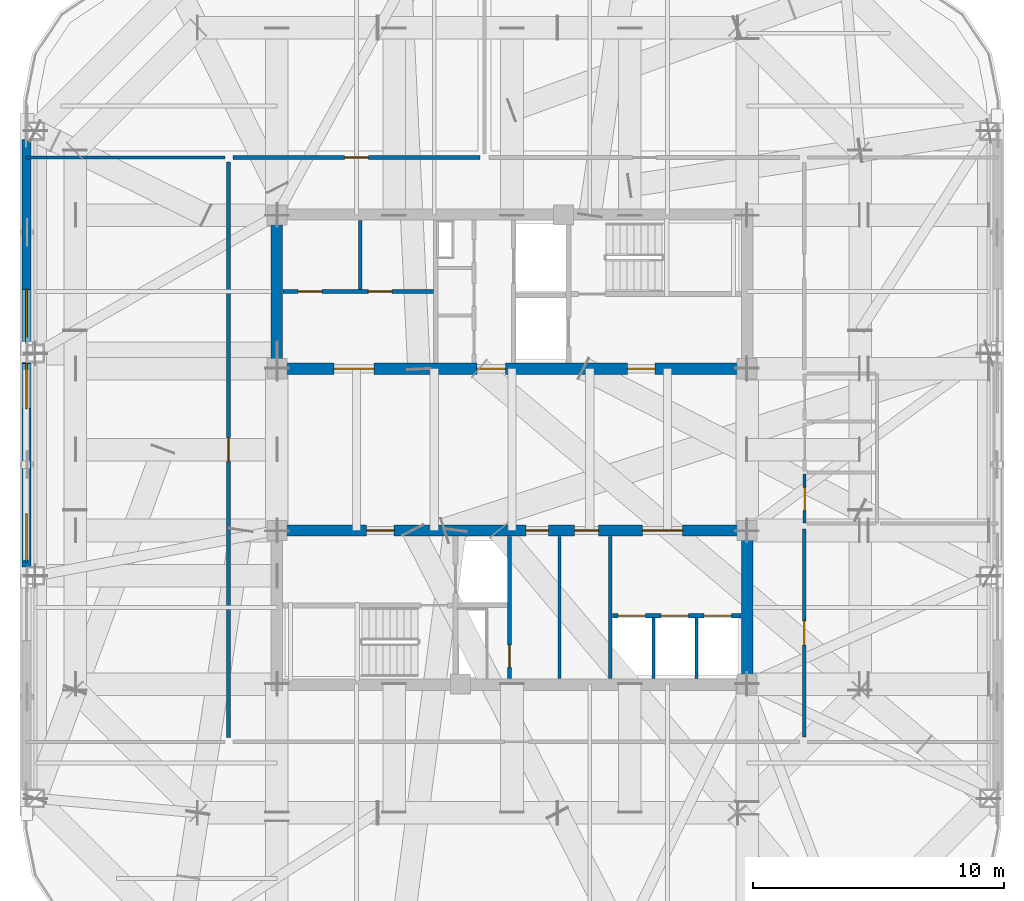
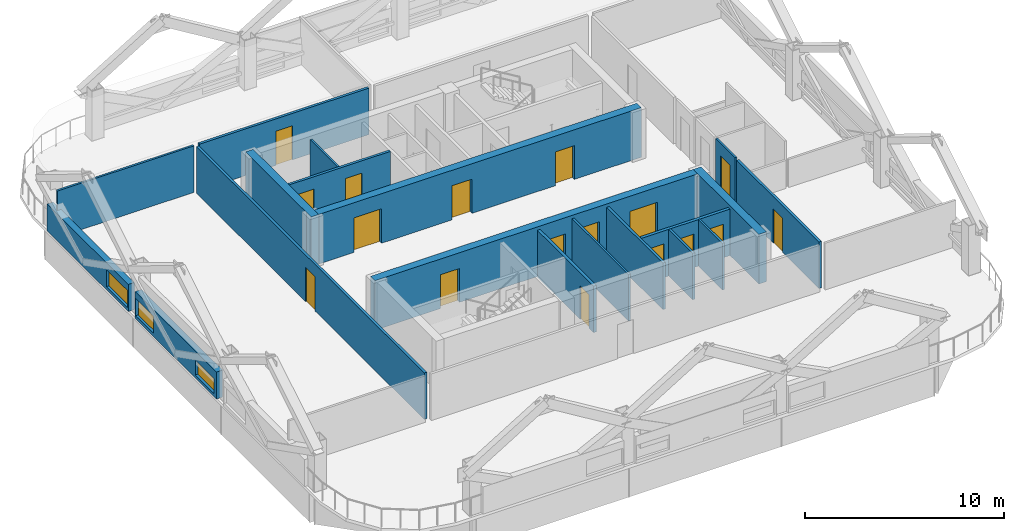
# One storey, part 6 of 11: 19 walls, 17 doors, 3 windows, 20 openings.
"""IFC4 building model written with IfcOpenShell, lengths in metres."""

from ifc_helpers import new_model, si_unit, direction, frame, frame_2d, origin, place, context, subcontext, project, spatial, rectangle, extrude, material, layer, layer_set, type_object, element, fill, save


model = new_model("IFC4")

# Units and contexts
model_context = context("Model", 3, precision=1e-05, world=origin(), true_north=direction((0.0, 1.0)))
body_context = subcontext(model_context, "Body", "Model", "MODEL_VIEW")
ifc_project = project(units=[si_unit("LENGTHUNIT", "METRE"), si_unit("AREAUNIT", "SQUARE_METRE"), si_unit("VOLUMEUNIT", "CUBIC_METRE"), si_unit("PLANEANGLEUNIT", "RADIAN"), si_unit("MASSUNIT", "GRAM", prefix="KILO")], contexts=[model_context])

# Site, building, storey
site_placement = place(None, origin())
site = spatial("IfcSite", under=ifc_project, at=site_placement, CompositionType="ELEMENT")
building_placement = place(site_placement, origin())
building = spatial("IfcBuilding", under=site, at=building_placement, Name="Qhalaya Broadcast Tower", CompositionType="ELEMENT")
storey_placement = place(building_placement, frame((0.0, 0.0, 199.5)))
storey = spatial("IfcBuildingStorey", under=building, at=storey_placement, Name="L58", CompositionType="ELEMENT", Elevation=199.5)

# Wall, openings, doors
ifc_material_1 = material(Name="Gypsum Acoustic Partition")
ifc_layer_1 = layer(ifc_material_1, 0.14990234375, Name="Gypsum Acoustic Partition")
ifc_layer_set_1 = layer_set([ifc_layer_1], Name="Gypsum Acoustic Partition")
wall_type_1 = type_object("IfcWallType", Name="Corridor & Tenancy Acoustic Partition 150", PredefinedType="PARTITIONING", material=ifc_layer_set_1)
wall_1_placement = place(storey_placement, frame((-9.1298828125, 6.89990234375, 0.0), z_axis=(0.0, 0.0, 1.0), x_axis=(1.0, 0.0, 0.0)))
wall_1 = element("IfcWall", 1, at=wall_1_placement, inside=storey, type_object=wall_type_1, Name="L58 Partition Wall NCW-REC1", PredefinedType="PARTITIONING", context=body_context, shape_type="SweptSolid", body=[
    extrude(rectangle(XDim=6.009765625, YDim=0.14990234375, at=frame_2d((3.0048828125, 0.0))), origin(), (0.0, 0.0, 1.0), 2.860107421875),
])
opening_1_placement = place(wall_1_placement, frame((0.60009765625, 0.0, 0.0)))
opening_1 = element("IfcOpeningElement", 2, at=opening_1_placement, cuts=wall_1, Name="Opening D10", PredefinedType="OPENING", context=body_context, shape_type="SweptSolid", body=[
    extrude(rectangle(XDim=0.949951171875, YDim=2.10009765625, at=frame_2d((0.47509765625, 1.050048828125))), frame((0.0, 0.0869140625, 0.0), z_axis=(0.0, -1.0, 0.0), x_axis=(1.0, 0.0, 0.0)), (0.0, 0.0, 1.0), 0.173828125),
])
opening_2_placement = place(wall_1_placement, frame((3.39990234375, 0.0, 0.0)))
opening_2 = element("IfcOpeningElement", 3, at=opening_2_placement, cuts=wall_1, Name="Opening D10", PredefinedType="OPENING", context=body_context, shape_type="SweptSolid", body=[
    extrude(rectangle(XDim=0.949951171875, YDim=2.10009765625, at=frame_2d((0.47509765625, 1.050048828125))), frame((0.0, 0.0869140625, 0.0), z_axis=(0.0, -1.0, 0.0), x_axis=(1.0, 0.0, 0.0)), (0.0, 0.0, 1.0), 0.173828125),
])
ifc_material_2 = material(Name="Timber Veneer Acoustic Door", Category="wood")
door_type_1 = type_object("IfcDoorType", Name="Cellular Office & Edit Booth Door D10", OperationType="NOTDEFINED", PredefinedType="DOOR", material=ifc_material_2)
door_1_placement = place(opening_1_placement, origin())
door_1 = element("IfcDoor", 4, at=door_1_placement, inside=storey, type_object=door_type_1, Name="L58 Door D-NREC1", OperationType="SINGLE_SWING_LEFT", OverallHeight=2.10009765625, OverallWidth=0.949951171875, PredefinedType="DOOR", context=body_context, shape_type="SweptSolid", body=[
    extrude(rectangle(XDim=0.949951171875, YDim=2.10009765625, at=frame_2d((0.47509765625, 1.050048828125))), frame((0.0, 0.02490234375, 0.0), z_axis=(0.0, -1.0, 0.0), x_axis=(1.0, 0.0, 0.0)), (0.0, 0.0, 1.0), 0.050048828125),
])
fill(opening_1, door_1)
door_2_placement = place(opening_2_placement, origin())
door_2 = element("IfcDoor", 5, at=door_2_placement, inside=storey, type_object=door_type_1, Name="L58 Door D-NREC2", OperationType="SINGLE_SWING_RIGHT", OverallHeight=2.10009765625, OverallWidth=0.949951171875, PredefinedType="DOOR", context=body_context, shape_type="SweptSolid", body=[
    extrude(rectangle(XDim=0.949951171875, YDim=2.10009765625, at=frame_2d((0.47509765625, 1.050048828125))), frame((0.0, 0.02490234375, 0.0), z_axis=(0.0, -1.0, 0.0), x_axis=(1.0, 0.0, 0.0)), (0.0, 0.0, 1.0), 0.050048828125),
])
fill(opening_2, door_2)

# Wall
wall_2_placement = place(storey_placement, frame((3.919921875, -8.530029296875, 0.0), z_axis=(0.0, 0.0, 1.0), x_axis=(0.0, 1.0, 0.0)))
element("IfcWall", 6, at=wall_2_placement, inside=storey, type_object=wall_type_1, Name="L58 Partition Wall SCW-HSEP", PredefinedType="PARTITIONING", context=body_context, shape_type="SweptSolid", body=[
    extrude(rectangle(XDim=5.659912109375, YDim=0.14990234375, at=frame_2d((2.830078125, 0.0))), origin(), (0.0, 0.0, 1.0), 2.860107421875),
])

# Wall, opening, door
wall_3_placement = place(storey_placement, frame((-11.1201171875, 12.25, 0.0), z_axis=(0.0, 0.0, 1.0), x_axis=(1.0, 0.0, 0.0)))
wall_3 = element("IfcWall", 7, at=wall_3_placement, inside=storey, type_object=wall_type_1, Name="L58 Partition Wall W-COR-01", PredefinedType="PARTITIONING", context=body_context, shape_type="SweptSolid", body=[
    extrude(rectangle(XDim=9.840087890625, YDim=0.14990234375, at=frame_2d((4.919921875, 0.0))), origin(), (0.0, 0.0, 1.0), 2.860107421875),
])
opening_3_placement = place(wall_3_placement, frame((4.445068359375, 0.0, 0.0)))
opening_3 = element("IfcOpeningElement", 8, at=opening_3_placement, cuts=wall_3, Name="Opening D10", PredefinedType="OPENING", context=body_context, shape_type="SweptSolid", body=[
    extrude(rectangle(XDim=0.949951171875, YDim=2.10009765625, at=frame_2d((0.47509765625, 1.050048828125))), frame((0.0, 0.0869140625, 0.0), z_axis=(0.0, -1.0, 0.0), x_axis=(1.0, 0.0, 0.0)), (0.0, 0.0, 1.0), 0.173828125),
])
door_3_placement = place(opening_3_placement, origin())
door_3 = element("IfcDoor", 9, at=door_3_placement, inside=storey, type_object=door_type_1, Name="L58 Door D-RM01", OperationType="SINGLE_SWING_RIGHT", OverallHeight=2.10009765625, OverallWidth=0.949951171875, PredefinedType="DOOR", context=body_context, shape_type="SweptSolid", body=[
    extrude(rectangle(XDim=0.949951171875, YDim=2.10009765625, at=frame_2d((0.47509765625, 1.050048828125))), frame((0.0, 0.02490234375, 0.0), z_axis=(0.0, -1.0, 0.0), x_axis=(1.0, 0.0, 0.0)), (0.0, 0.0, 1.0), 0.050048828125),
])
fill(opening_3, door_3)

wall_4_placement = place(storey_placement, frame((-11.300048828125, -10.8701171875, 0.0), z_axis=(0.0, 0.0, 1.0), x_axis=(0.0, 1.0, 0.0)))
wall_4 = element("IfcWall", 10, at=wall_4_placement, inside=storey, type_object=wall_type_1, Name="L58 Partition Wall W-COR-04", PredefinedType="PARTITIONING", context=body_context, shape_type="SweptSolid", body=[
    extrude(rectangle(XDim=22.940185546875, YDim=0.14990234375, at=frame_2d((11.47021484375, 0.0))), origin(), (0.0, 0.0, 1.0), 2.860107421875),
])
opening_4_placement = place(wall_4_placement, frame((10.9951171875, 0.0, 0.0)))
opening_4 = element("IfcOpeningElement", 11, at=opening_4_placement, cuts=wall_4, Name="Opening D10", PredefinedType="OPENING", context=body_context, shape_type="SweptSolid", body=[
    extrude(rectangle(XDim=0.949951171875, YDim=2.10009765625, at=frame_2d((0.47509765625, 1.050048828125))), frame((0.0, 0.0869140625, 0.0), z_axis=(0.0, -1.0, 0.0), x_axis=(1.0, 0.0, 0.0)), (0.0, 0.0, 1.0), 0.173828125),
])
door_4_placement = place(opening_4_placement, origin())
door_4 = element("IfcDoor", 12, at=door_4_placement, inside=storey, type_object=door_type_1, Name="L58 Door D-RM04", OperationType="SINGLE_SWING_LEFT", OverallHeight=2.10009765625, OverallWidth=0.949951171875, PredefinedType="DOOR", context=body_context, shape_type="SweptSolid", body=[
    extrude(rectangle(XDim=0.949951171875, YDim=2.10009765625, at=frame_2d((0.47509765625, 1.050048828125))), frame((0.0, 0.02490234375, 0.0), z_axis=(0.0, -1.0, 0.0), x_axis=(1.0, 0.0, 0.0)), (0.0, 0.0, 1.0), 0.050048828125),
])
fill(opening_4, door_4)

wall_5_placement = place(storey_placement, frame((11.64990234375, -10.85009765625, 0.0), z_axis=(0.0, 0.0, 1.0), x_axis=(0.0, 1.0, 0.0)))
wall_5 = element("IfcWall", 13, at=wall_5_placement, inside=storey, type_object=wall_type_1, Name="L58 Partition Wall W-COR-05", PredefinedType="PARTITIONING", context=body_context, shape_type="SweptSolid", body=[
    extrude(rectangle(XDim=8.2900390625, YDim=0.14990234375, at=frame_2d((4.14501953125, 0.0))), origin(), (0.0, 0.0, 1.0), 2.860107421875),
])
opening_5_placement = place(wall_5_placement, frame((3.669921875, 0.0, 0.0)))
opening_5 = element("IfcOpeningElement", 14, at=opening_5_placement, cuts=wall_5, Name="Opening D10", PredefinedType="OPENING", context=body_context, shape_type="SweptSolid", body=[
    extrude(rectangle(XDim=0.949951171875, YDim=2.10009765625, at=frame_2d((0.47509765625, 1.050048828125))), frame((0.0, 0.0869140625, 0.0), z_axis=(0.0, -1.0, 0.0), x_axis=(1.0, 0.0, 0.0)), (0.0, 0.0, 1.0), 0.173828125),
])
door_5_placement = place(opening_5_placement, origin())
door_5 = element("IfcDoor", 15, at=door_5_placement, inside=storey, type_object=door_type_1, Name="L58 Door D-RM05", OperationType="SINGLE_SWING_RIGHT", OverallHeight=2.10009765625, OverallWidth=0.949951171875, PredefinedType="DOOR", context=body_context, shape_type="SweptSolid", body=[
    extrude(rectangle(XDim=0.949951171875, YDim=2.10009765625, at=frame_2d((0.47509765625, 1.050048828125))), frame((0.0, 0.02490234375, 0.0), z_axis=(0.0, -1.0, 0.0), x_axis=(1.0, 0.0, 0.0)), (0.0, 0.0, 1.0), 0.050048828125),
])
fill(opening_5, door_5)

# Wall, openings, windows
ifc_material_3 = material(Name="Precast Concrete C40/50", Category="concrete")
ifc_layer_2 = layer(ifc_material_3, 0.360107421875, Name="Precast Concrete C40/50")
ifc_layer_set_2 = layer_set([ifc_layer_2], Name="Precast Concrete C40/50")
wall_type_2 = type_object("IfcWallType", Name="Insulated Precast Terracotta Exterior Wall 360", PredefinedType="SOLIDWALL", material=ifc_layer_set_2)
wall_6_placement = place(storey_placement, frame((-19.360107421875, -4.083251953125, 0.0), z_axis=(0.0, 0.0, 1.0), x_axis=(0.0, 1.0, 0.0)))
wall_6 = element("IfcWall", 16, at=wall_6_placement, inside=storey, type_object=wall_type_2, Name="L58 Exoskeleton Diagrid Infill Wall W2", PredefinedType="SOLIDWALL", context=body_context, shape_type="SweptSolid", body=[
    extrude(rectangle(XDim=8.16650390625, YDim=0.360107421875, at=frame_2d((4.083251953125, 0.0))), origin(), (0.0, 0.0, 1.0), 1.662109375),
])
opening_6_placement = place(wall_6_placement, frame((0.220947265625, 0.0, 0.199951171875)))
opening_6 = element("IfcOpeningElement", 17, at=opening_6_placement, cuts=wall_6, Name="Opening W13", PredefinedType="OPENING", context=body_context, shape_type="SweptSolid", body=[
    extrude(rectangle(XDim=1.89990234375, YDim=0.89990234375, at=frame_2d((0.949951171875, 0.449951171875))), frame((0.0, 0.192138671875, 0.0), z_axis=(0.0, -1.0, 0.0), x_axis=(1.0, 0.0, 0.0)), (0.0, 0.0, 1.0), 0.384033203125),
])
opening_7_placement = place(wall_6_placement, frame((6.321044921875, 0.0, 0.199951171875)))
opening_7 = element("IfcOpeningElement", 18, at=opening_7_placement, cuts=wall_6, Name="Opening W13", PredefinedType="OPENING", context=body_context, shape_type="SweptSolid", body=[
    extrude(rectangle(XDim=1.800048828125, YDim=1.050048828125, at=frame_2d((0.89990234375, 0.52490234375))), frame((0.0, 0.192138671875, 0.0), z_axis=(0.0, -1.0, 0.0), x_axis=(1.0, 0.0, 0.0)), (0.0, 0.0, 1.0), 0.384033203125),
])
ifc_material_4 = material(Name="Solar-Control Low-E Triple Glazing", Category="glass")
window_type = type_object("IfcWindowType", Name="Upper-Block Diagrid Infill Window W13", PartitioningType="SINGLE_PANEL", PredefinedType="WINDOW", material=ifc_material_4)
window_1_placement = place(opening_6_placement, origin())
window_1 = element("IfcWindow", 19, at=window_1_placement, inside=storey, type_object=window_type, Name="L58 Diagrid Infill Window W13-W2", OverallHeight=0.89990234375, OverallWidth=1.89990234375, PartitioningType="SINGLE_PANEL", PredefinedType="WINDOW", context=body_context, shape_type="SweptSolid", body=[
    extrude(rectangle(XDim=1.89990234375, YDim=0.89990234375, at=frame_2d((0.949951171875, 0.449951171875))), frame((0.0, 0.030029296875, 0.0), z_axis=(0.0, -1.0, 0.0), x_axis=(1.0, 0.0, 0.0)), (0.0, 0.0, 1.0), 0.06005859375),
])
fill(opening_6, window_1)
window_2_placement = place(opening_7_placement, origin())
window_2 = element("IfcWindow", 20, at=window_2_placement, inside=storey, type_object=window_type, Name="L58 Diagrid Infill Window W13-W3", OverallHeight=1.050048828125, OverallWidth=1.800048828125, PartitioningType="SINGLE_PANEL", PredefinedType="WINDOW", context=body_context, shape_type="SweptSolid", body=[
    extrude(rectangle(XDim=1.800048828125, YDim=1.050048828125, at=frame_2d((0.89990234375, 0.52490234375))), frame((0.0, 0.030029296875, 0.0), z_axis=(0.0, -1.0, 0.0), x_axis=(1.0, 0.0, 0.0)), (0.0, 0.0, 1.0), 0.06005859375),
])
fill(opening_7, window_2)

# Wall, opening, window
wall_7_placement = place(storey_placement, frame((-19.360107421875, 4.783203125, 0.0), z_axis=(0.0, 0.0, 1.0), x_axis=(0.0, 1.0, 0.0)))
wall_7 = element("IfcWall", 21, at=wall_7_placement, inside=storey, type_object=wall_type_2, Name="L58 Exoskeleton Diagrid Infill Wall W3", PredefinedType="SOLIDWALL", context=body_context, shape_type="SweptSolid", body=[
    extrude(rectangle(XDim=8.1787109375, YDim=0.360107421875, at=frame_2d((4.08935546875, 0.0))), origin(), (0.0, 0.0, 1.0), 1.662109375),
])
opening_8_placement = place(wall_7_placement, frame((0.054931640625, 0.0, 0.199951171875)))
opening_8 = element("IfcOpeningElement", 22, at=opening_8_placement, cuts=wall_7, Name="Opening W13", PredefinedType="OPENING", context=body_context, shape_type="SweptSolid", body=[
    extrude(rectangle(XDim=2.14990234375, YDim=1.050048828125, at=frame_2d((1.074951171875, 0.52490234375))), frame((0.0, 0.192138671875, 0.0), z_axis=(0.0, -1.0, 0.0), x_axis=(1.0, 0.0, 0.0)), (0.0, 0.0, 1.0), 0.384033203125),
])
window_3_placement = place(opening_8_placement, origin())
window_3 = element("IfcWindow", 23, at=window_3_placement, inside=storey, type_object=window_type, Name="L58 Diagrid Infill Window W13-W4", OverallHeight=1.050048828125, OverallWidth=2.14990234375, PartitioningType="SINGLE_PANEL", PredefinedType="WINDOW", context=body_context, shape_type="SweptSolid", body=[
    extrude(rectangle(XDim=2.14990234375, YDim=1.050048828125, at=frame_2d((1.074951171875, 0.52490234375))), frame((0.0, 0.030029296875, 0.0), z_axis=(0.0, -1.0, 0.0), x_axis=(1.0, 0.0, 0.0)), (0.0, 0.0, 1.0), 0.06005859375),
])
fill(opening_8, window_3)

# Walls
ifc_layer_3 = layer(ifc_material_1, 0.1201171875, Name="Gypsum Acoustic Partition")
ifc_layer_set_3 = layer_set([ifc_layer_3], Name="Gypsum Acoustic Partition")
wall_type_3 = type_object("IfcWallType", Name="Office, Booth & Sanitary Partition 120", PredefinedType="PARTITIONING", material=ifc_layer_set_3)
wall_8_placement = place(storey_placement, frame((-6.050048828125, 6.97998046875, 0.0), z_axis=(0.0, 0.0, 1.0), x_axis=(0.0, 1.0, 0.0)))
element("IfcWall", 24, at=wall_8_placement, inside=storey, type_object=wall_type_3, Name="L58 Partition Wall NCW-REC2", PredefinedType="PARTITIONING", context=body_context, shape_type="SweptSolid", body=[
    extrude(rectangle(XDim=2.75, YDim=0.1201171875, at=frame_2d((1.375, 0.0))), origin(), (0.0, 0.0, 1.0), 2.860107421875),
])
wall_9_placement = place(storey_placement, frame((1.89990234375, -8.530029296875, 0.0), z_axis=(0.0, 0.0, 1.0), x_axis=(0.0, 1.0, 0.0)))
element("IfcWall", 25, at=wall_9_placement, inside=storey, type_object=wall_type_3, Name="L58 Partition Wall SCW-RKB", PredefinedType="PARTITIONING", context=body_context, shape_type="SweptSolid", body=[
    extrude(rectangle(XDim=5.659912109375, YDim=0.1201171875, at=frame_2d((2.830078125, 0.0))), origin(), (0.0, 0.0, 1.0), 2.860107421875),
])
for number, where, z_axis, x_axis, name in (
    (26, (5.639892578125, -8.530029296875, 0.0), (0.0, 0.0, 1.0), (0.0, 1.0, 0.0), "L58 Partition Wall SCW-HD6"),
    (27, (7.360107421875, -8.530029296875, 0.0), (0.0, 0.0, 1.0), (0.0, 1.0, 0.0), "L58 Partition Wall SCW-HD7"),
):
    element("IfcWall", number, at=place(storey_placement, frame(where, z_axis=z_axis, x_axis=x_axis)), inside=storey, type_object=wall_type_3, Name=name, PredefinedType="PARTITIONING", context=body_context, shape_type="SweptSolid", body=[
        extrude(rectangle(XDim=2.429931640625, YDim=0.1201171875, at=frame_2d((1.21484375, 0.0))), origin(), (0.0, 0.0, 1.0), 2.860107421875),
    ])

# Wall, opening, door
wall_10_placement = place(storey_placement, frame((11.669921875, -2.320068359375, 0.0), z_axis=(0.0, 0.0, 1.0), x_axis=(0.0, 1.0, 0.0)))
wall_10 = element("IfcWall", 28, at=wall_10_placement, inside=storey, type_object=wall_type_3, Name="L58 Partition Wall W-WCWA", PredefinedType="PARTITIONING", context=body_context, shape_type="SweptSolid", body=[
    extrude(rectangle(XDim=1.940185546875, YDim=0.1201171875, at=frame_2d((0.97021484375, 0.0))), origin(), (0.0, 0.0, 1.0), 2.860107421875),
])
opening_9_placement = place(wall_10_placement, frame((0.4951171875, 0.0, 0.0)))
opening_9 = element("IfcOpeningElement", 29, at=opening_9_placement, cuts=wall_10, Name="Opening D12", PredefinedType="OPENING", context=body_context, shape_type="SweptSolid", body=[
    extrude(rectangle(XDim=0.919921875, YDim=2.10009765625, at=frame_2d((0.4599609375, 1.050048828125))), frame((0.0, 0.072021484375, 0.0), z_axis=(0.0, -1.0, 0.0), x_axis=(1.0, 0.0, 0.0)), (0.0, 0.0, 1.0), 0.14404296875),
])
door_type_2 = type_object("IfcDoorType", Name="Accessible WC & Restroom Door D12", OperationType="NOTDEFINED", PredefinedType="DOOR", material=ifc_material_2)
door_6_placement = place(opening_9_placement, origin())
door_6 = element("IfcDoor", 30, at=door_6_placement, inside=storey, type_object=door_type_2, Name="L58 Door D-WCA", OperationType="SINGLE_SWING_LEFT", OverallHeight=2.10009765625, OverallWidth=0.919921875, PredefinedType="DOOR", context=body_context, shape_type="SweptSolid", body=[
    extrude(rectangle(XDim=0.919921875, YDim=2.10009765625, at=frame_2d((0.4599609375, 1.050048828125))), frame((0.0, 0.02490234375, 0.0), z_axis=(0.0, -1.0, 0.0), x_axis=(1.0, 0.0, 0.0)), (0.0, 0.0, 1.0), 0.050048828125),
])
fill(opening_9, door_6)

# Wall
wall_11_placement = place(storey_placement, frame((-19.3798828125, 12.25, 0.0), z_axis=(0.0, 0.0, 1.0), x_axis=(1.0, 0.0, 0.0)))
element("IfcWall", 31, at=wall_11_placement, inside=storey, type_object=wall_type_3, Name="L58 Partition Wall W-BNDW1", PredefinedType="PARTITIONING", context=body_context, shape_type="SweptSolid", body=[
    extrude(rectangle(XDim=7.93994140625, YDim=0.1201171875, at=frame_2d((3.969970703125, 0.0))), origin(), (0.0, 0.0, 1.0), 2.860107421875),
])

# Wall, opening, door
ifc_layer_4 = layer(ifc_material_1, 0.175048828125, Name="Gypsum Acoustic Partition")
ifc_layer_set_4 = layer_set([ifc_layer_4], Name="Gypsum Acoustic Partition")
wall_type_4 = type_object("IfcWallType", Name="Shaft & Riser Fire Partition 175", PredefinedType="PARTITIONING", material=ifc_layer_set_4)
wall_12_placement = place(storey_placement, frame((-0.10009765625, -8.530029296875, 0.0), z_axis=(0.0, 0.0, 1.0), x_axis=(0.0, 1.0, 0.0)))
wall_12 = element("IfcWall", 32, at=wall_12_placement, inside=storey, type_object=wall_type_4, Name="L58 Partition Wall SCW-FFE", PredefinedType="PARTITIONING", context=body_context, shape_type="SweptSolid", body=[
    extrude(rectangle(XDim=5.659912109375, YDim=0.175048828125, at=frame_2d((2.830078125, 0.0))), origin(), (0.0, 0.0, 1.0), 2.860107421875),
])
opening_10_placement = place(wall_12_placement, frame((0.449951171875, 0.0, 0.0)))
opening_10 = element("IfcOpeningElement", 33, at=opening_10_placement, cuts=wall_12, Name="Opening D06", PredefinedType="OPENING", context=body_context, shape_type="SweptSolid", body=[
    extrude(rectangle(XDim=0.89990234375, YDim=2.050048828125, at=frame_2d((0.449951171875, 1.02490234375))), frame((0.0, 0.099609375, 0.0), z_axis=(0.0, -1.0, 0.0), x_axis=(1.0, 0.0, 0.0)), (0.0, 0.0, 1.0), 0.198974609375),
])
ifc_material_5 = material(Name="Fire-Rated Steel Door", Category="steel")
door_type_3 = type_object("IfcDoorType", Name="Riser & Electrical Shaft Access Door D06", OperationType="NOTDEFINED", PredefinedType="DOOR", material=ifc_material_5)
door_7_placement = place(opening_10_placement, origin())
door_7 = element("IfcDoor", 34, at=door_7_placement, inside=storey, type_object=door_type_3, Name="L58 Riser Shaft Access Door D-SRSR", OperationType="SINGLE_SWING_LEFT", OverallHeight=2.050048828125, OverallWidth=0.89990234375, PredefinedType="DOOR", context=body_context, shape_type="SweptSolid", body=[
    extrude(rectangle(XDim=0.89990234375, YDim=2.050048828125, at=frame_2d((0.449951171875, 1.02490234375))), frame((0.0, 0.02490234375, 0.0), z_axis=(0.0, -1.0, 0.0), x_axis=(1.0, 0.0, 0.0)), (0.0, 0.0, 1.0), 0.050048828125),
])
fill(opening_10, door_7)

# Wall, openings, doors
wall_13_placement = place(storey_placement, frame((4.0, -6.02001953125, 0.0), z_axis=(0.0, 0.0, 1.0), x_axis=(1.0, 0.0, 0.0)))
wall_13 = element("IfcWall", 35, at=wall_13_placement, inside=storey, type_object=wall_type_4, Name="L58 Partition Wall SCW-SLB", PredefinedType="PARTITIONING", context=body_context, shape_type="SweptSolid", body=[
    extrude(rectangle(XDim=5.1298828125, YDim=0.175048828125, at=frame_2d((2.56494140625, 0.0))), origin(), (0.0, 0.0, 1.0), 2.860107421875),
])
opening_11_placement = place(wall_13_placement, frame((0.219970703125, 0.0, 0.0)))
opening_11 = element("IfcOpeningElement", 36, at=opening_11_placement, cuts=wall_13, Name="Opening LD1", PredefinedType="OPENING", context=body_context, shape_type="SweptSolid", body=[
    extrude(rectangle(XDim=1.10009765625, YDim=2.06005859375, at=frame_2d((0.550048828125, 1.030029296875))), frame((0.0, 0.099609375, 0.0), z_axis=(0.0, -1.0, 0.0), x_axis=(1.0, 0.0, 0.0)), (0.0, 0.0, 1.0), 0.198974609375),
])
opening_12_placement = place(wall_13_placement, frame((1.93994140625, 0.0, 0.0)))
opening_12 = element("IfcOpeningElement", 37, at=opening_12_placement, cuts=wall_13, Name="Opening LD1", PredefinedType="OPENING", context=body_context, shape_type="SweptSolid", body=[
    extrude(rectangle(XDim=1.10009765625, YDim=2.06005859375, at=frame_2d((0.550048828125, 1.030029296875))), frame((0.0, 0.099609375, 0.0), z_axis=(0.0, -1.0, 0.0), x_axis=(1.0, 0.0, 0.0)), (0.0, 0.0, 1.0), 0.198974609375),
])
opening_13_placement = place(wall_13_placement, frame((3.659912109375, 0.0, 0.0)))
opening_13 = element("IfcOpeningElement", 38, at=opening_13_placement, cuts=wall_13, Name="Opening LD1", PredefinedType="OPENING", context=body_context, shape_type="SweptSolid", body=[
    extrude(rectangle(XDim=1.10009765625, YDim=2.06005859375, at=frame_2d((0.550048828125, 1.030029296875))), frame((0.0, 0.099609375, 0.0), z_axis=(0.0, -1.0, 0.0), x_axis=(1.0, 0.0, 0.0)), (0.0, 0.0, 1.0), 0.198974609375),
])
ifc_material_6 = material(Name="Brushed Stainless Steel Lift Door", Category="steel")
door_type_4 = type_object("IfcDoorType", Name="Passenger Lift Sliding Landing Door LD1", OperationType="DOUBLE_DOOR_SLIDING", PredefinedType="DOOR", material=ifc_material_6)
door_8_placement = place(opening_11_placement, origin())
door_8 = element("IfcDoor", 39, at=door_8_placement, inside=storey, type_object=door_type_4, Name="L58 Door LD-P6", OperationType="DOUBLE_DOOR_SLIDING", OverallHeight=2.06005859375, OverallWidth=1.10009765625, PredefinedType="DOOR", context=body_context, shape_type="SweptSolid", body=[
    extrude(rectangle(XDim=1.10009765625, YDim=2.06005859375, at=frame_2d((0.550048828125, 1.030029296875))), frame((0.0, 0.02490234375, 0.0), z_axis=(0.0, -1.0, 0.0), x_axis=(1.0, 0.0, 0.0)), (0.0, 0.0, 1.0), 0.050048828125),
])
fill(opening_11, door_8)
door_9_placement = place(opening_12_placement, origin())
door_9 = element("IfcDoor", 40, at=door_9_placement, inside=storey, type_object=door_type_4, Name="L58 Door LD-P7", OperationType="DOUBLE_DOOR_SLIDING", OverallHeight=2.06005859375, OverallWidth=1.10009765625, PredefinedType="DOOR", context=body_context, shape_type="SweptSolid", body=[
    extrude(rectangle(XDim=1.10009765625, YDim=2.06005859375, at=frame_2d((0.550048828125, 1.030029296875))), frame((0.0, 0.02490234375, 0.0), z_axis=(0.0, -1.0, 0.0), x_axis=(1.0, 0.0, 0.0)), (0.0, 0.0, 1.0), 0.050048828125),
])
fill(opening_12, door_9)
door_10_placement = place(opening_13_placement, origin())
door_10 = element("IfcDoor", 41, at=door_10_placement, inside=storey, type_object=door_type_4, Name="L58 Door LD-P8", OperationType="DOUBLE_DOOR_SLIDING", OverallHeight=2.06005859375, OverallWidth=1.10009765625, PredefinedType="DOOR", context=body_context, shape_type="SweptSolid", body=[
    extrude(rectangle(XDim=1.10009765625, YDim=2.06005859375, at=frame_2d((0.550048828125, 1.030029296875))), frame((0.0, 0.02490234375, 0.0), z_axis=(0.0, -1.0, 0.0), x_axis=(1.0, 0.0, 0.0)), (0.0, 0.0, 1.0), 0.050048828125),
])
fill(opening_13, door_10)

ifc_material_7 = material(Name="Concrete C50/60", Category="concrete")
ifc_layer_5 = layer(ifc_material_7, 0.449951171875, Name="Concrete C50/60")
ifc_layer_set_5 = layer_set([ifc_layer_5], Name="Concrete C50/60")
wall_type_5 = type_object("IfcWallType", Name="Upper Split-Core Shear Wall 450", PredefinedType="SHEAR", material=ifc_layer_set_5)
wall_14_placement = place(storey_placement, frame((-9.60009765625, 3.824951171875, 0.0), z_axis=(0.0, 0.0, 1.0), x_axis=(1.0, 0.0, 0.0)))
wall_14 = element("IfcWall", 42, at=wall_14_placement, inside=storey, type_object=wall_type_5, Name="L58 Split-Core Shear Wall CW-NS", PredefinedType="SHEAR", context=body_context, shape_type="SweptSolid", body=[
    extrude(rectangle(XDim=19.2001953125, YDim=0.449951171875, at=frame_2d((9.60009765625, 0.0))), origin(), (0.0, 0.0, 1.0), 3.050048828125),
])
opening_14_placement = place(wall_14_placement, frame((14.199951171875, 0.0, 0.0)))
opening_14 = element("IfcOpeningElement", 43, at=opening_14_placement, cuts=wall_14, Name="Opening D04", PredefinedType="OPENING", context=body_context, shape_type="SweptSolid", body=[
    extrude(rectangle(XDim=1.10009765625, YDim=2.080078125, at=frame_2d((0.550048828125, 1.0400390625))), frame((0.0, 0.237060546875, 0.0), z_axis=(0.0, -1.0, 0.0), x_axis=(1.0, 0.0, 0.0)), (0.0, 0.0, 1.0), 0.473876953125),
])
opening_15_placement = place(wall_14_placement, frame((8.199951171875, 0.0, 0.0)))
opening_15 = element("IfcOpeningElement", 44, at=opening_15_placement, cuts=wall_14, Name="Opening D05", PredefinedType="OPENING", context=body_context, shape_type="SweptSolid", body=[
    extrude(rectangle(XDim=1.14990234375, YDim=2.10009765625, at=frame_2d((0.574951171875, 1.050048828125))), frame((0.0, 0.237060546875, 0.0), z_axis=(0.0, -1.0, 0.0), x_axis=(1.0, 0.0, 0.0)), (0.0, 0.0, 1.0), 0.473876953125),
])
opening_16_placement = place(wall_14_placement, frame((2.5, 0.0, 0.0)))
opening_16 = element("IfcOpeningElement", 45, at=opening_16_placement, cuts=wall_14, Name="Opening D07", PredefinedType="OPENING", context=body_context, shape_type="SweptSolid", body=[
    extrude(rectangle(XDim=1.60009765625, YDim=2.1201171875, at=frame_2d((0.800048828125, 1.06005859375))), frame((0.0, 0.237060546875, 0.0), z_axis=(0.0, -1.0, 0.0), x_axis=(1.0, 0.0, 0.0)), (0.0, 0.0, 1.0), 0.473876953125),
])
door_type_5 = type_object("IfcDoorType", Name="Firefighting Lobby Rated Door D04", OperationType="NOTDEFINED", PredefinedType="DOOR", material=ifc_material_5)
door_11_placement = place(opening_14_placement, origin())
door_11 = element("IfcDoor", 46, at=door_11_placement, inside=storey, type_object=door_type_5, Name="L58 Door D-NFF", OperationType="SINGLE_SWING_RIGHT", OverallHeight=2.080078125, OverallWidth=1.10009765625, PredefinedType="DOOR", context=body_context, shape_type="SweptSolid", body=[
    extrude(rectangle(XDim=1.10009765625, YDim=2.080078125, at=frame_2d((0.550048828125, 1.0400390625))), frame((0.0, 0.02490234375, 0.0), z_axis=(0.0, -1.0, 0.0), x_axis=(1.0, 0.0, 0.0)), (0.0, 0.0, 1.0), 0.050048828125),
])
fill(opening_14, door_11)
ifc_material_8 = material(Name="Anodised Aluminium Glazed Door", Category="aluminium")
door_type_6 = type_object("IfcDoorType", Name="Passenger Lift Lobby Double Glazed Door D07", OperationType="DOUBLE_DOOR_SINGLE_SWING", PredefinedType="DOOR", material=ifc_material_8)
door_12_placement = place(opening_16_placement, origin())
door_12 = element("IfcDoor", 47, at=door_12_placement, inside=storey, type_object=door_type_6, Name="L58 Door D-NRECV", OperationType="DOUBLE_DOOR_SINGLE_SWING", OverallHeight=2.1201171875, OverallWidth=1.60009765625, PredefinedType="DOOR", context=body_context, shape_type="SweptSolid", body=[
    extrude(rectangle(XDim=1.60009765625, YDim=2.1201171875, at=frame_2d((0.800048828125, 1.06005859375))), frame((0.0, 0.02490234375, 0.0), z_axis=(0.0, -1.0, 0.0), x_axis=(1.0, 0.0, 0.0)), (0.0, 0.0, 1.0), 0.050048828125),
])
fill(opening_16, door_12)
door_type_7 = type_object("IfcDoorType", Name="Refuge & Plant Room Fire Door D05", OperationType="NOTDEFINED", PredefinedType="DOOR", material=ifc_material_5)
door_13_placement = place(opening_15_placement, origin())
door_13 = element("IfcDoor", 48, at=door_13_placement, inside=storey, type_object=door_type_7, Name="L58 Door D-NSVL", OperationType="SINGLE_SWING_LEFT", OverallHeight=2.10009765625, OverallWidth=1.14990234375, PredefinedType="DOOR", context=body_context, shape_type="SweptSolid", body=[
    extrude(rectangle(XDim=1.14990234375, YDim=2.10009765625, at=frame_2d((0.574951171875, 1.050048828125))), frame((0.0, 0.02490234375, 0.0), z_axis=(0.0, -1.0, 0.0), x_axis=(1.0, 0.0, 0.0)), (0.0, 0.0, 1.0), 0.050048828125),
])
fill(opening_15, door_13)

# Wall
wall_15_placement = place(storey_placement, frame((-9.375, 3.60009765625, 0.0), z_axis=(0.0, 0.0, 1.0), x_axis=(0.0, 1.0, 0.0)))
element("IfcWall", 49, at=wall_15_placement, inside=storey, type_object=wall_type_5, Name="L58 Split-Core Shear Wall CW-NW", PredefinedType="SHEAR", context=body_context, shape_type="SweptSolid", body=[
    extrude(rectangle(XDim=6.599853515625, YDim=0.449951171875, at=frame_2d((3.2998046875, 0.0))), origin(), (0.0, 0.0, 1.0), 3.050048828125),
])

# Wall, openings, doors
wall_16_placement = place(storey_placement, frame((-9.60009765625, -2.625, 0.0), z_axis=(0.0, 0.0, 1.0), x_axis=(1.0, 0.0, 0.0)))
wall_16 = element("IfcWall", 50, at=wall_16_placement, inside=storey, type_object=wall_type_5, Name="L58 Split-Core Shear Wall CW-SN", PredefinedType="SHEAR", context=body_context, shape_type="SweptSolid", body=[
    extrude(rectangle(XDim=19.2001953125, YDim=0.449951171875, at=frame_2d((9.60009765625, 0.0))), origin(), (0.0, 0.0, 1.0), 3.050048828125),
])
opening_17_placement = place(wall_16_placement, frame((3.800048828125, 0.0, 0.0)))
opening_17 = element("IfcOpeningElement", 51, at=opening_17_placement, cuts=wall_16, Name="Opening D04", PredefinedType="OPENING", context=body_context, shape_type="SweptSolid", body=[
    extrude(rectangle(XDim=1.10009765625, YDim=2.080078125, at=frame_2d((0.550048828125, 1.0400390625))), frame((0.0, 0.237060546875, 0.0), z_axis=(0.0, -1.0, 0.0), x_axis=(1.0, 0.0, 0.0)), (0.0, 0.0, 1.0), 0.473876953125),
])
opening_18_placement = place(wall_16_placement, frame((10.14990234375, 0.0, 0.0)))
opening_18 = element("IfcOpeningElement", 52, at=opening_18_placement, cuts=wall_16, Name="Opening D06", PredefinedType="OPENING", context=body_context, shape_type="SweptSolid", body=[
    extrude(rectangle(XDim=0.89990234375, YDim=2.050048828125, at=frame_2d((0.449951171875, 1.02490234375))), frame((0.0, 0.237060546875, 0.0), z_axis=(0.0, -1.0, 0.0), x_axis=(1.0, 0.0, 0.0)), (0.0, 0.0, 1.0), 0.473876953125),
])
opening_19_placement = place(wall_16_placement, frame((12.10009765625, 0.0, 0.0)))
opening_19 = element("IfcOpeningElement", 53, at=opening_19_placement, cuts=wall_16, Name="Opening D10", PredefinedType="OPENING", context=body_context, shape_type="SweptSolid", body=[
    extrude(rectangle(XDim=0.949951171875, YDim=2.10009765625, at=frame_2d((0.47509765625, 1.050048828125))), frame((0.0, 0.237060546875, 0.0), z_axis=(0.0, -1.0, 0.0), x_axis=(1.0, 0.0, 0.0)), (0.0, 0.0, 1.0), 0.473876953125),
])
opening_20_placement = place(wall_16_placement, frame((14.800048828125, 0.0, 0.0)))
opening_20 = element("IfcOpeningElement", 54, at=opening_20_placement, cuts=wall_16, Name="Opening D07", PredefinedType="OPENING", context=body_context, shape_type="SweptSolid", body=[
    extrude(rectangle(XDim=1.60009765625, YDim=2.1201171875, at=frame_2d((0.800048828125, 1.06005859375))), frame((0.0, 0.237060546875, 0.0), z_axis=(0.0, -1.0, 0.0), x_axis=(1.0, 0.0, 0.0)), (0.0, 0.0, 1.0), 0.473876953125),
])
door_14_placement = place(opening_19_placement, origin())
door_14 = element("IfcDoor", 55, at=door_14_placement, inside=storey, type_object=door_type_1, Name="L58 Door D-SREC2", OperationType="SINGLE_SWING_RIGHT", OverallHeight=2.10009765625, OverallWidth=0.949951171875, PredefinedType="DOOR", context=body_context, shape_type="SweptSolid", body=[
    extrude(rectangle(XDim=0.949951171875, YDim=2.10009765625, at=frame_2d((0.47509765625, 1.050048828125))), frame((0.0, 0.02490234375, 0.0), z_axis=(0.0, -1.0, 0.0), x_axis=(1.0, 0.0, 0.0)), (0.0, 0.0, 1.0), 0.050048828125),
])
fill(opening_19, door_14)
door_15_placement = place(opening_17_placement, origin())
door_15 = element("IfcDoor", 56, at=door_15_placement, inside=storey, type_object=door_type_5, Name="L58 Door D-SFF", OperationType="SINGLE_SWING_LEFT", OverallHeight=2.080078125, OverallWidth=1.10009765625, PredefinedType="DOOR", context=body_context, shape_type="SweptSolid", body=[
    extrude(rectangle(XDim=1.10009765625, YDim=2.080078125, at=frame_2d((0.550048828125, 1.0400390625))), frame((0.0, 0.02490234375, 0.0), z_axis=(0.0, -1.0, 0.0), x_axis=(1.0, 0.0, 0.0)), (0.0, 0.0, 1.0), 0.050048828125),
])
fill(opening_17, door_15)
door_16_placement = place(opening_20_placement, origin())
door_16 = element("IfcDoor", 57, at=door_16_placement, inside=storey, type_object=door_type_6, Name="L58 Door D-SPLL", OperationType="DOUBLE_DOOR_SINGLE_SWING", OverallHeight=2.1201171875, OverallWidth=1.60009765625, PredefinedType="DOOR", context=body_context, shape_type="SweptSolid", body=[
    extrude(rectangle(XDim=1.60009765625, YDim=2.1201171875, at=frame_2d((0.800048828125, 1.06005859375))), frame((0.0, 0.02490234375, 0.0), z_axis=(0.0, -1.0, 0.0), x_axis=(1.0, 0.0, 0.0)), (0.0, 0.0, 1.0), 0.050048828125),
])
fill(opening_20, door_16)
door_17_placement = place(opening_18_placement, origin())
door_17 = element("IfcDoor", 58, at=door_17_placement, inside=storey, type_object=door_type_3, Name="L58 Door D-SREC1", OperationType="SINGLE_SWING_LEFT", OverallHeight=2.050048828125, OverallWidth=0.89990234375, PredefinedType="DOOR", context=body_context, shape_type="SweptSolid", body=[
    extrude(rectangle(XDim=0.89990234375, YDim=2.050048828125, at=frame_2d((0.449951171875, 1.02490234375))), frame((0.0, 0.02490234375, 0.0), z_axis=(0.0, -1.0, 0.0), x_axis=(1.0, 0.0, 0.0)), (0.0, 0.0, 1.0), 0.050048828125),
])
fill(opening_18, door_17)

# Wall
wall_17_placement = place(storey_placement, frame((9.375, -9.0, 0.0), z_axis=(0.0, 0.0, 1.0), x_axis=(0.0, 1.0, 0.0)))
element("IfcWall", 59, at=wall_17_placement, inside=storey, type_object=wall_type_5, Name="L58 Split-Core Shear Wall CW-SE", PredefinedType="SHEAR", context=body_context, shape_type="SweptSolid", body=[
    extrude(rectangle(XDim=6.60009765625, YDim=0.449951171875, at=frame_2d((3.300048828125, 0.0))), origin(), (0.0, 0.0, 1.0), 3.050048828125),
])

save(model, "model.ifc")
